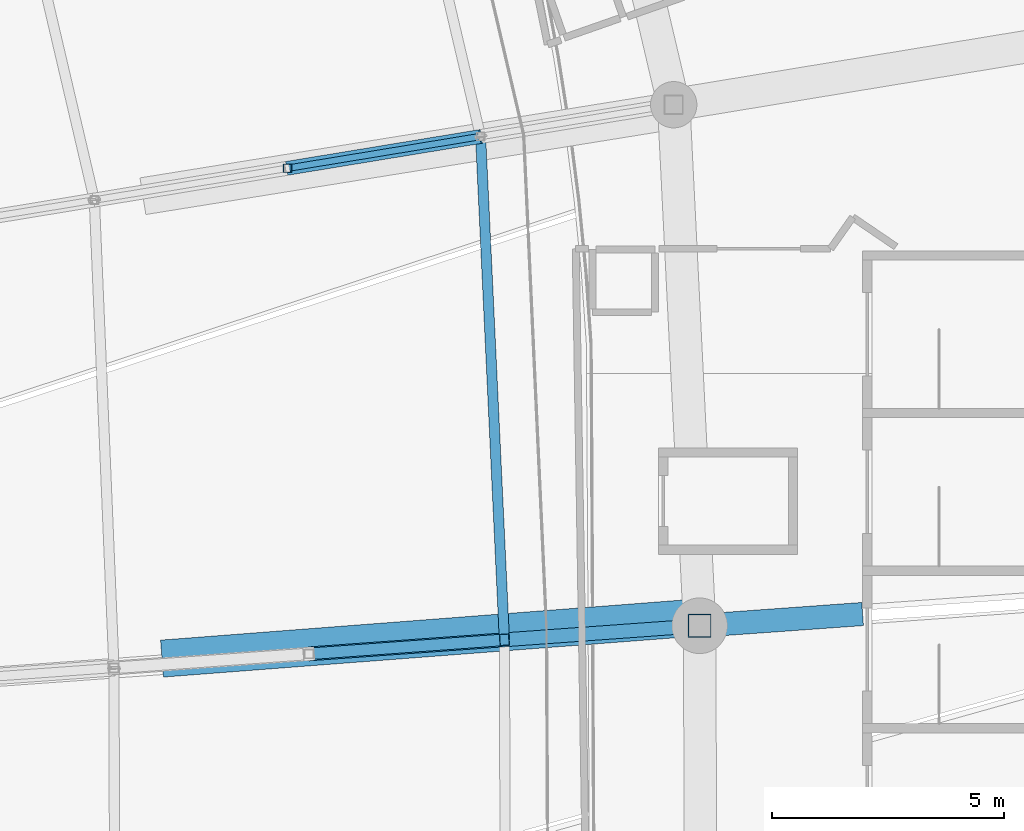
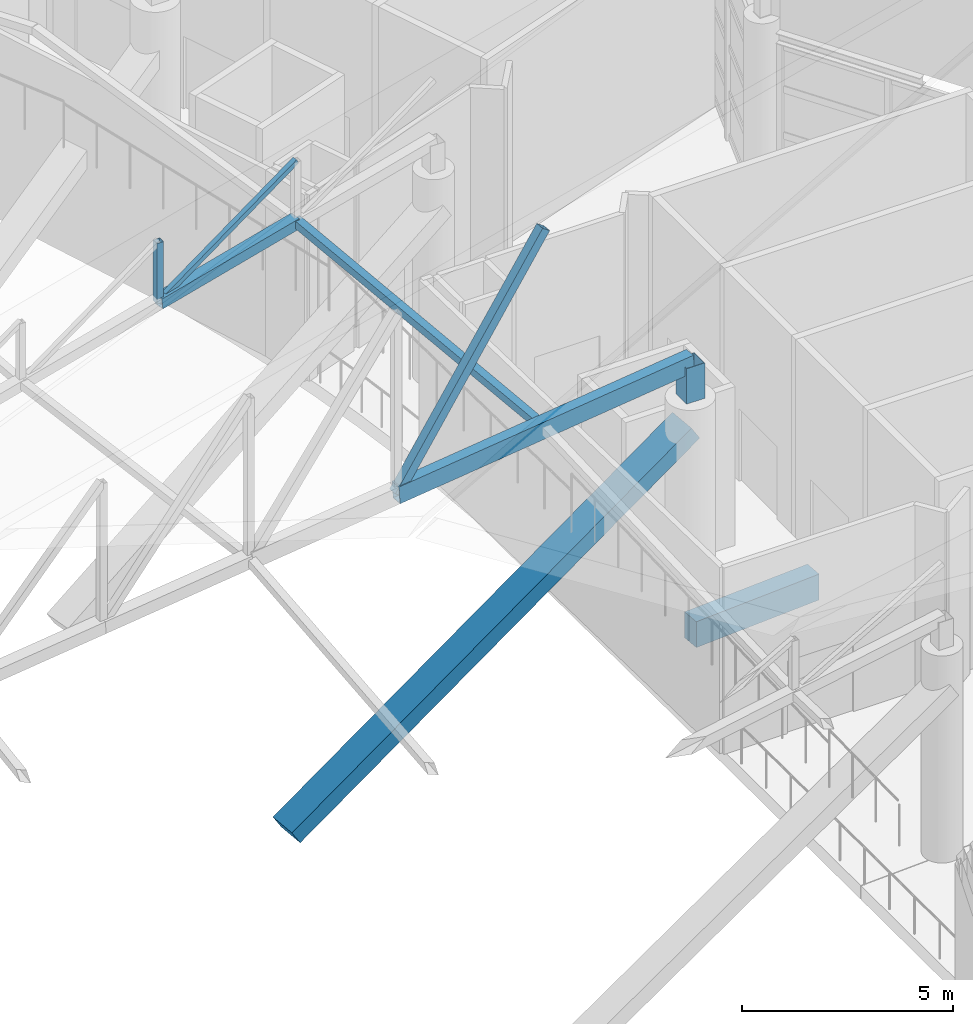
# One storey, part 182 of 344: 7 members, 2 beams.
"""IFC4 building model written with IfcOpenShell, lengths in metres."""

from ifc_helpers import new_model, si_unit, direction, frame, origin, origin_2d, place, context, subcontext, project, spatial, rectangle, hollow_rectangle, extrude, material, material_profile, profile_set, type_object, element, save


model = new_model("IFC4")

# Units and contexts
model_context = context("Model", 3, precision=1e-05, world=origin(), true_north=direction((0.0, 1.0)))
body_context = subcontext(model_context, "Body", "Model", "MODEL_VIEW")
ifc_project = project(units=[si_unit("LENGTHUNIT", "METRE"), si_unit("AREAUNIT", "SQUARE_METRE"), si_unit("VOLUMEUNIT", "CUBIC_METRE"), si_unit("PLANEANGLEUNIT", "RADIAN"), si_unit("MASSUNIT", "GRAM", prefix="KILO")], contexts=[model_context])

# Site, building, storey
site_placement = place(None, origin())
site = spatial("IfcSite", under=ifc_project, at=site_placement, CompositionType="ELEMENT")
building_placement = place(site_placement, origin())
building = spatial("IfcBuilding", under=site, at=building_placement, Name="Meseta Stadium", CompositionType="ELEMENT")
storey_placement = place(building_placement, frame((0.0, 0.0, 24.0)))
storey = spatial("IfcBuildingStorey", under=building, at=storey_placement, Name="L04", CompositionType="ELEMENT", Elevation=24.0)

# Beams
ifc_material_1 = material(Name="Concrete C40/50", Category="concrete")
ifc_material_profile_1 = material_profile(ifc_material_1, rectangle(XDim=0.5, YDim=0.75, at=origin_2d()), Name="RC 500x750")
ifc_profile_set_1 = profile_set([ifc_material_profile_1], Name="Concrete C40/50")
beam_type_1 = type_object("IfcBeamType", Name="RC beam 500x750", PredefinedType="BEAM", material=ifc_profile_set_1)
beam_1_placement = place(storey_placement, frame((84.884033203125, 42.5615234375, -0.77490234375), z_axis=(0.997422358581, 0.071754014547, 0.0), x_axis=(-0.071754014547, 0.997422358581, 0.0)))
element("IfcBeam", 1, at=beam_1_placement, inside=storey, type_object=beam_type_1, Name="L04 radial beam frame 8 line P to R", PredefinedType="BEAM", context=body_context, shape_type="SweptSolid", body=[
    extrude(rectangle(XDim=0.5, YDim=0.75, at=origin_2d()), origin(), (0.0, 0.0, 1.0), 3.52490234375),
])
ifc_material_2 = material(Name="Concrete C40/50", Category="concrete")
ifc_material_profile_2 = material_profile(ifc_material_2, rectangle(XDim=0.800048828125, YDim=0.449951171875, at=origin_2d()), Name="RC 800x450")
ifc_profile_set_2 = profile_set([ifc_material_profile_2], Name="Concrete C40/50")
beam_type_2 = type_object("IfcBeamType", Name="RC raker upper rear 800x450", PredefinedType="USERDEFINED", material=ifc_profile_set_2)
beam_2_placement = place(storey_placement, frame((73.40478515625, 41.8623046875, -2.135498046875), z_axis=(0.845529088137, 0.06488282659, 0.529972433177), x_axis=(-0.076511425531, 0.997068704635, 0.0)))
element("IfcBeam", 2, at=beam_2_placement, inside=storey, type_object=beam_type_2, Name="Raker upper rear frame 8 upper tier", ObjectType="RAKER", PredefinedType="USERDEFINED", context=body_context, shape_type="SweptSolid", body=[
    extrude(rectangle(XDim=0.800048828125, YDim=0.449951171875, at=origin_2d()), origin(), (0.0, 0.0, 1.0), 13.56103515625),
])

# Members
ifc_material_3 = material(Name="Steel S355", Category="steel")
ifc_material_profile_3 = material_profile(ifc_material_3, hollow_rectangle(XDim=0.300048828125, YDim=0.5, WallThickness=0.01611328125, at=origin_2d()), Name="RHS 500x300x16")
ifc_profile_set_3 = profile_set([ifc_material_profile_3], Name="Steel S355")
member_type_1 = type_object("IfcMemberType", Name="RHS 500x300x16 bottom chord", PredefinedType="CHORD", material=ifc_profile_set_3)
member_1_placement = place(storey_placement, frame((76.46142578125, 41.95556640625, 6.52099609375), z_axis=(0.995647450901, 0.071630974032, 0.059625137933), x_axis=(-0.071758644231, 0.997422025513, 0.0)))
element("IfcMember", 3, at=member_1_placement, inside=storey, type_object=member_type_1, Name="ROOF TRUSS RT-08 bottom chord", PredefinedType="CHORD", context=body_context, shape_type="SweptSolid", body=[
    extrude(hollow_rectangle(XDim=0.300048828125, YDim=0.5, WallThickness=0.01611328125, at=origin_2d()), origin(), (0.0, 0.0, 1.0), 8.45947265625),
])
ifc_material_4 = material(Name="Steel S355", Category="steel")
ifc_material_profile_4 = material_profile(ifc_material_4, hollow_rectangle(XDim=0.139892578125, YDim=0.139892578125, WallThickness=0.0048828125, at=origin_2d()), Name="SHS 140x140x5")
ifc_profile_set_4 = profile_set([ifc_material_profile_4], Name="Steel S355")
member_type_2 = type_object("IfcMemberType", Name="SHS 140x140x5 diagonal", PredefinedType="BRACE", material=ifc_profile_set_4)
member_2_placement = place(storey_placement, frame((75.99267578125, 52.430908203125, 5.874267578125), z_axis=(0.873398123495, 0.143664139036, 0.465334646283), x_axis=(-0.162307632911, 0.986740205069, 0.0)))
element("IfcMember", 4, at=member_2_placement, inside=storey, type_object=member_type_2, Name="ROOF TRUSS RT-09 diagonal", PredefinedType="BRACE", context=body_context, shape_type="SweptSolid", body=[
    extrude(hollow_rectangle(XDim=0.139892578125, YDim=0.139892578125, WallThickness=0.0048828125, at=origin_2d()), origin(), (0.0, 0.0, 1.0), 4.770263671875),
])
ifc_material_5 = material(Name="Steel S355", Category="steel")
ifc_material_profile_5 = material_profile(ifc_material_5, hollow_rectangle(XDim=0.179931640625, YDim=0.179931640625, WallThickness=0.00634765625, at=origin_2d()), Name="SHS 180x180x6.3")
ifc_profile_set_5 = profile_set([ifc_material_profile_5], Name="Steel S355")
member_type_3 = type_object("IfcMemberType", Name="SHS 180x180x6.3 post", PredefinedType="POST", material=ifc_profile_set_5)
member_3_placement = place(storey_placement, frame((75.99267578125, 52.430908203125, 5.874267578125), z_axis=(0.0, 0.0, 1.0), x_axis=(1.0, 0.0, 0.0)))
element("IfcMember", 5, at=member_3_placement, inside=storey, type_object=member_type_3, Name="ROOF TRUSS RT-09 post", PredefinedType="POST", context=body_context, shape_type="SweptSolid", body=[
    extrude(hollow_rectangle(XDim=0.179931640625, YDim=0.179931640625, WallThickness=0.00634765625, at=origin_2d()), origin(), (0.0, 0.0, 1.0), 1.7568359375),
])
ifc_material_6 = material(Name="Steel S355", Category="steel")
ifc_material_profile_6 = material_profile(ifc_material_6, hollow_rectangle(XDim=0.219970703125, YDim=0.219970703125, WallThickness=0.008056640625, at=origin_2d()), Name="SHS 220x220x8")
ifc_profile_set_6 = profile_set([ifc_material_profile_6], Name="Steel S355")
member_type_4 = type_object("IfcMemberType", Name="SHS 220x220x8 strut", PredefinedType="STRUT", material=ifc_profile_set_6)
member_4_placement = place(storey_placement, frame((80.672607421875, 42.258544921875, 6.773193359375), z_axis=(-0.047218772147, 0.998080063546, -0.040082094608), x_axis=(-0.998882775782, -0.047256748145, 0.0)))
element("IfcMember", 6, at=member_4_placement, inside=storey, type_object=member_type_4, Name="ROOF TRUSS STRUT RT-08/09", PredefinedType="STRUT", context=body_context, shape_type="SweptSolid", body=[
    extrude(hollow_rectangle(XDim=0.219970703125, YDim=0.219970703125, WallThickness=0.008056640625, at=origin_2d()), origin(), (0.0, 0.0, 1.0), 10.878662109375),
])
ifc_material_7 = material(Name="Steel S355", Category="steel")
ifc_material_profile_7 = material_profile(ifc_material_7, hollow_rectangle(XDim=0.25, YDim=0.25, WallThickness=0.010009765625, at=origin_2d()), Name="SHS 250x250x10")
ifc_profile_set_7 = profile_set([ifc_material_profile_7], Name="Steel S355")
member_type_5 = type_object("IfcMemberType", Name="SHS 250x250x10 diagonal", PredefinedType="BRACE", material=ifc_profile_set_7)
member_5_placement = place(storey_placement, frame((76.46142578125, 41.95556640625, 6.52099609375), z_axis=(0.571613030859, 0.041125385315, 0.819492065633), x_axis=(-0.071760713601, 0.997421876632, 0.0)))
element("IfcMember", 7, at=member_5_placement, inside=storey, type_object=member_type_5, Name="ROOF TRUSS RT-08 diagonal", PredefinedType="BRACE", context=body_context, shape_type="SweptSolid", body=[
    extrude(hollow_rectangle(XDim=0.25, YDim=0.25, WallThickness=0.010009765625, at=origin_2d()), origin(), (0.0, 0.0, 1.0), 7.3671875),
])
ifc_material_8 = material(Name="Steel S355", Category="steel")
ifc_material_profile_8 = material_profile(ifc_material_8, hollow_rectangle(XDim=0.300048828125, YDim=0.300048828125, WallThickness=0.010009765625, at=origin_2d()), Name="SHS 300x300x10")
ifc_profile_set_8 = profile_set([ifc_material_profile_8], Name="Steel S355")
member_type_6 = type_object("IfcMemberType", Name="SHS 300x300x10 bottom chord", PredefinedType="CHORD", material=ifc_profile_set_8)
member_6_placement = place(storey_placement, frame((75.99267578125, 52.430908203125, 5.874267578125), z_axis=(0.980863294148, 0.161340947358, 0.108978424008), x_axis=(-0.162307632911, 0.986740205069, 0.0)))
element("IfcMember", 8, at=member_6_placement, inside=storey, type_object=member_type_6, Name="ROOF TRUSS RT-09 bottom chord", PredefinedType="CHORD", context=body_context, shape_type="SweptSolid", body=[
    extrude(hollow_rectangle(XDim=0.300048828125, YDim=0.300048828125, WallThickness=0.010009765625, at=origin_2d()), origin(), (0.0, 0.0, 1.0), 4.24755859375),
])
ifc_material_9 = material(Name="Steel S355", Category="steel")
ifc_material_profile_9 = material_profile(ifc_material_9, hollow_rectangle(XDim=0.5, YDim=0.5, WallThickness=0.01611328125, at=origin_2d()), Name="SHS 500x500x16")
ifc_profile_set_9 = profile_set([ifc_material_profile_9], Name="Steel S355")
member_type_7 = type_object("IfcMemberType", Name="SHS 500x500x16 pedestal", PredefinedType="POST", material=ifc_profile_set_9)
member_7_placement = place(storey_placement, frame((84.884033203125, 42.5615234375, 6.0), z_axis=(0.0, 0.0, 1.0), x_axis=(1.0, 0.0, 0.0)))
element("IfcMember", 9, at=member_7_placement, inside=storey, type_object=member_type_7, Name="ROOF TRUSS RT-08 pedestal", PredefinedType="POST", context=body_context, shape_type="SweptSolid", body=[
    extrude(hollow_rectangle(XDim=0.5, YDim=0.5, WallThickness=0.01611328125, at=origin_2d()), origin(), (0.0, 0.0, 1.0), 1.025390625),
])

save(model, "model.ifc")
